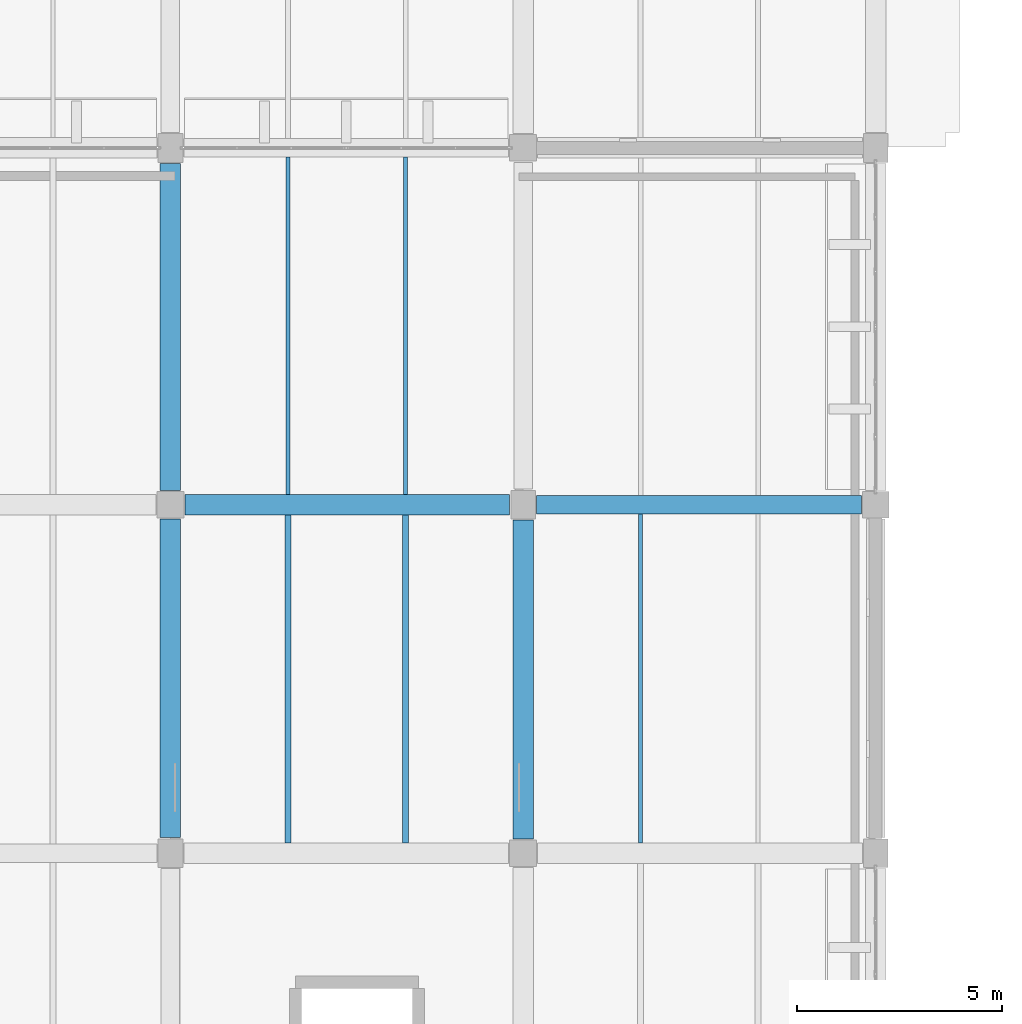
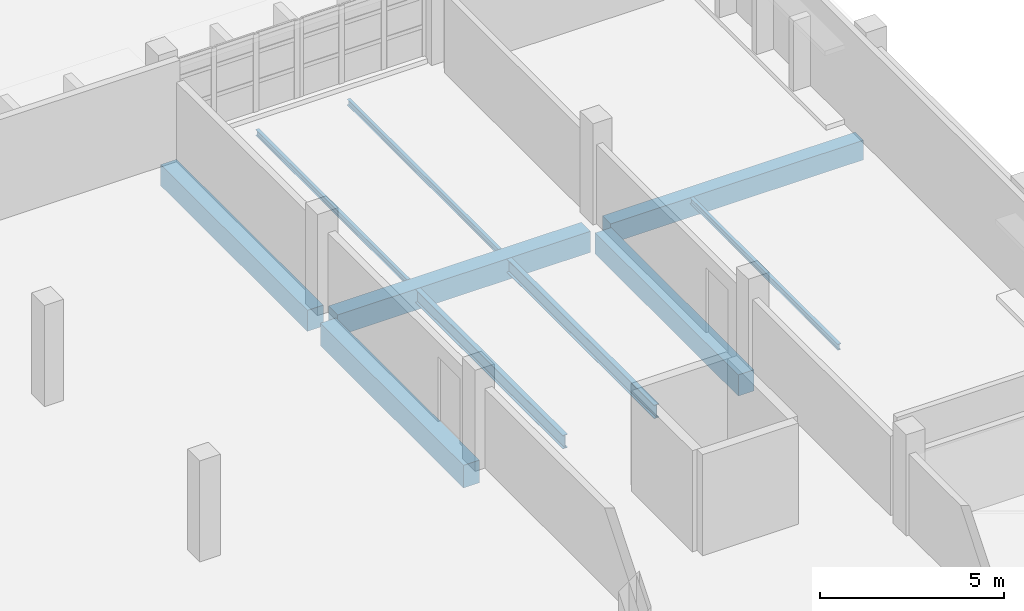
# One storey, part 60 of 93: 10 beams.
"""IFC4 building model written with IfcOpenShell, lengths in metres."""

import ifcopenshell
import ifcopenshell.guid

model = None  # the IFC model being written
_history = None  # IfcOwnerHistory: only IFC2X3 demands one
_inside = {}  # id of a spatial element -> (the spatial element, [elements in it])
_under = {}  # id of a project, library or spatial element -> (it, [spatial elements below it])
_declared = {}  # id of a project -> (the project, [libraries it declares])
_typed = {}  # id of a type object -> (the type object, [elements of that type])
_made_of = {}  # id of a material, layer set ... -> (it, [elements and type objects made of it])


def new_model(schema):
    """Start an empty IFC model of exactly this schema.

    Asked for "IFC4X3", IfcOpenShell would pick the latest addendum, in which some entities
    have other attributes; the version numbers below select the first issue.
    IFC2X3 requires an IfcOwnerHistory on every rooted entity: one is made here for all.
    """
    global model, _history
    if schema == "IFC4X3":
        model = ifcopenshell.file(schema_version=(4, 3, 0, 0))
    else:
        model = ifcopenshell.file(schema=schema)
    _inside.clear()
    _under.clear()
    _declared.clear()
    _typed.clear()
    _made_of.clear()
    _history = None
    if model.schema == "IFC2X3":
        org = make("IfcOrganization", Name="unknown")
        user = make(
            "IfcPersonAndOrganization",
            ThePerson=make("IfcPerson", FamilyName="unknown"),
            TheOrganization=org,
        )
        app = make(
            "IfcApplication",
            ApplicationDeveloper=org,
            Version="unknown",
            ApplicationFullName="unknown",
            ApplicationIdentifier="unknown",
        )
        _history = make(
            "IfcOwnerHistory",
            OwningUser=user,
            OwningApplication=app,
            ChangeAction="ADDED",
            CreationDate=0,
        )
    return model


def make(cls, **values):
    """One entity of the class cls with the attributes given. An attribute that is None is left unset."""
    return model.create_entity(
        cls, **{name: value for name, value in values.items() if value is not None}
    )


def rooted(cls, **values):
    """An entity with a GlobalId (a new one), such as an element, a storey or a relation."""
    return make(cls, GlobalId=ifcopenshell.guid.new(), OwnerHistory=_history, **values)


def si_unit(unit_type, name, prefix=None):
    """IfcSIUnit, for example si_unit("LENGTHUNIT", "METRE", prefix="MILLI")."""
    return make("IfcSIUnit", UnitType=unit_type, Prefix=prefix, Name=name)


def assignment(units):
    """IfcUnitAssignment: the units of a project."""
    return None if units is None else make("IfcUnitAssignment", Units=units)


def point(xyz):
    """IfcCartesianPoint."""
    return None if xyz is None else make("IfcCartesianPoint", Coordinates=xyz)


def direction(xyz):
    """IfcDirection."""
    return None if xyz is None else make("IfcDirection", DirectionRatios=xyz)


def frame(location, z_axis=None, x_axis=None):
    """IfcAxis2Placement3D, a coordinate frame: its origin and axes. An axis left out is left unset."""
    return make(
        "IfcAxis2Placement3D",
        Location=point(location),
        Axis=direction(z_axis),
        RefDirection=direction(x_axis),
    )


def frame_2d(location, x_axis=None):
    """IfcAxis2Placement2D, a coordinate frame in the plane: its origin and x axis."""
    return make(
        "IfcAxis2Placement2D", Location=point(location), RefDirection=direction(x_axis)
    )


def origin():
    """The frame at (0, 0, 0) with its axes left unset."""
    return frame((0.0, 0.0, 0.0))


def origin_2d():
    """The frame at (0, 0) in the plane with its x axis left unset."""
    return frame_2d((0.0, 0.0))


def place(relative_to, where):
    """IfcLocalPlacement: puts the frame where relative to a parent placement (None: the world)."""
    return make(
        "IfcLocalPlacement", PlacementRelTo=relative_to, RelativePlacement=where
    )


def context(
    kind, dimensions, precision=None, world=None, true_north=None, identifier=None
):
    """IfcGeometricRepresentationContext, for example the 3D "Model" context."""
    return make(
        "IfcGeometricRepresentationContext",
        ContextIdentifier=identifier,
        ContextType=kind,
        CoordinateSpaceDimension=dimensions,
        Precision=precision,
        WorldCoordinateSystem=world,
        TrueNorth=true_north,
    )


def subcontext(parent, identifier, kind, view, scale=None):
    """IfcGeometricRepresentationSubContext, for example "Body" below "Model"."""
    return make(
        "IfcGeometricRepresentationSubContext",
        ContextIdentifier=identifier,
        ContextType=kind,
        ParentContext=parent,
        TargetScale=scale,
        TargetView=view,
    )


def project(units=None, contexts=None):
    """IfcProject with its units and contexts."""
    return rooted(
        "IfcProject",
        Name="project",
        RepresentationContexts=contexts,
        UnitsInContext=assignment(units),
    )


def spatial(cls, under=None, at=None, **own):
    """A site, building, storey or space (cls), placed at a placement, below another one or the project."""
    s = rooted(cls, ObjectPlacement=at, **own)
    if under is not None:
        _under.setdefault(under.id(), (under, []))[1].append(s)
    return s


def profile(cls, at=None, kind="AREA", **sizes):
    """A parametric profile (cls). Its sizes go by their IFC names, for example OverallWidth=200.0."""
    return make(cls, ProfileType=kind, Position=at, **sizes)


def rectangle(**sizes):
    """IfcRectangleProfileDef."""
    return profile("IfcRectangleProfileDef", **sizes)


def i_section(**sizes):
    """IfcIShapeProfileDef."""
    return profile("IfcIShapeProfileDef", **sizes)


def extrude(swept, where, along, depth):
    """IfcExtrudedAreaSolid: the profile swept, set in the frame where, extruded along a direction by depth."""
    return make(
        "IfcExtrudedAreaSolid",
        SweptArea=swept,
        Position=where,
        ExtrudedDirection=direction(along),
        Depth=depth,
    )


def shape(context_of_items, identifier, shape_type, items):
    """IfcShapeRepresentation: the items that make up one representation, for example the "Body"."""
    return make(
        "IfcShapeRepresentation",
        ContextOfItems=context_of_items,
        RepresentationIdentifier=identifier,
        RepresentationType=shape_type,
        Items=items,
    )


def material(Name=None, Category=None):
    """IfcMaterial."""
    return make("IfcMaterial", Name=Name, Category=Category)


def material_profile(
    of_material, cross_section, Name=None, Category=None, Priority=None
):
    """IfcMaterialProfile: a cross section and its material."""
    return make(
        "IfcMaterialProfile",
        Name=Name,
        Material=of_material,
        Profile=cross_section,
        Priority=Priority,
        Category=Category,
    )


def profile_set(profiles, Name=None, composite=None):
    """IfcMaterialProfileSet."""
    return make(
        "IfcMaterialProfileSet",
        Name=Name,
        MaterialProfiles=profiles,
        CompositeProfile=composite,
    )


def made_of(thing, what):
    """Note that an element or type object is made of a material, layer set ...; save() writes the relation."""
    if what is not None:
        _made_of.setdefault(what.id(), (what, []))[1].append(thing)
    return thing


def type_object(cls, material=None, **own):
    """A type object (cls), such as IfcWallType, which elements share."""
    return made_of(rooted(cls, **own), material)


def element(
    cls,
    number,
    at=None,
    inside=None,
    cuts=None,
    type_object=None,
    material=None,
    context=None,
    identifier="Body",
    shape_type=None,
    held_by="IfcProductDefinitionShape",
    body=None,
    shapes=None,
    **own,
):
    """One element of the class cls, such as IfcWall. Its Tag is "e" and its number.

    at: its placement. inside: the storey or other place that contains it. cuts: it is an
    opening in that element (IfcRelVoidsElement). A single representation is given by context,
    identifier, shape_type and body (its items); several are given by shapes. held_by: the class
    of the entity that holds the representations. save() writes the other relations.
    """
    e = rooted(cls, Tag="e%d" % number, ObjectPlacement=at, **own)
    if body is not None:
        shapes = [shape(context, identifier, shape_type, body)]
    if shapes is not None:
        e.Representation = make(held_by, Representations=shapes)
    if inside is not None:
        _inside.setdefault(inside.id(), (inside, []))[1].append(e)
    if cuts is not None:
        rooted(
            "IfcRelVoidsElement", RelatingBuildingElement=cuts, RelatedOpeningElement=e
        )
    if type_object is not None:
        _typed.setdefault(type_object.id(), (type_object, []))[1].append(e)
    return made_of(e, material)


def aggregate(whole, parts):
    """IfcRelAggregates: a whole, such as a stair, and the parts it consists of."""
    return rooted("IfcRelAggregates", RelatingObject=whole, RelatedObjects=parts)


def save(model, path):
    """Write the relations noted so far, then the file.

    IfcRelAggregates (storeys below a building ...), IfcRelContainedInSpatialStructure (elements
    in a storey), IfcRelDefinesByType, IfcRelAssociatesMaterial and IfcRelDeclares: one each for
    every whole, place, type object, material and project.
    """
    for whole, parts in _under.values():
        aggregate(whole, parts)
    for where, things in _inside.values():
        rooted(
            "IfcRelContainedInSpatialStructure",
            RelatedElements=things,
            RelatingStructure=where,
        )
    for kind, things in _typed.values():
        rooted("IfcRelDefinesByType", RelatedObjects=things, RelatingType=kind)
    for what, things in _made_of.values():
        rooted("IfcRelAssociatesMaterial", RelatedObjects=things, RelatingMaterial=what)
    for by, libraries in _declared.values():
        rooted("IfcRelDeclares", RelatingContext=by, RelatedDefinitions=libraries)
    model.write(path)


model = new_model("IFC4")

# Units and contexts
model_context = context("Model", 3, precision=1e-05, world=origin(), true_north=direction((0.0, 1.0)))
body_context = subcontext(model_context, "Body", "Model", "MODEL_VIEW")
ifc_project = project(units=[si_unit("LENGTHUNIT", "METRE"), si_unit("AREAUNIT", "SQUARE_METRE"), si_unit("VOLUMEUNIT", "CUBIC_METRE"), si_unit("PLANEANGLEUNIT", "RADIAN"), si_unit("MASSUNIT", "GRAM", prefix="KILO")], contexts=[model_context])

# Site, building, storey
site_placement = place(None, origin())
site = spatial("IfcSite", under=ifc_project, at=site_placement, CompositionType="ELEMENT")
building_placement = place(site_placement, origin())
building = spatial("IfcBuilding", under=site, at=building_placement, Name="Varnakota Cinema and Media Centre", CompositionType="ELEMENT")
storey_placement = place(building_placement, frame((0.0, 0.0, 12.0)))
storey = spatial("IfcBuildingStorey", under=building, at=storey_placement, Name="L03", CompositionType="ELEMENT", Elevation=12.0)

# Beams
ifc_material_1 = material(Name="Concrete M35", Category="concrete")
ifc_material_profile_1 = material_profile(ifc_material_1, rectangle(XDim=0.449951171875, YDim=0.64990234375, at=origin_2d()), Name="RCB 450x650")
ifc_profile_set_1 = profile_set([ifc_material_profile_1], Name="Concrete M35")
beam_type_1 = type_object("IfcBeamType", Name="BM-RC-450x650", PredefinedType="BEAM", material=ifc_profile_set_1)
beam_1_placement = place(storey_placement, frame((26.125, 69.5, -0.5849609375), z_axis=(1.0, 0.0, 0.0), x_axis=(0.0, 1.0, 0.0)))
element("IfcBeam", 1, at=beam_1_placement, inside=storey, type_object=beam_type_1, Name="L03 girder D-E/9", PredefinedType="BEAM", context=body_context, shape_type="SweptSolid", body=[
    extrude(rectangle(XDim=0.449951171875, YDim=0.64990234375, at=origin_2d()), origin(), (0.0, 0.0, 1.0), 7.925048828125),
])
ifc_material_2 = material(Name="Concrete M35", Category="concrete")
ifc_material_profile_2 = material_profile(ifc_material_2, rectangle(XDim=0.5, YDim=0.699951171875, at=origin_2d()), Name="RCB 500x700")
ifc_profile_set_2 = profile_set([ifc_material_profile_2], Name="Concrete M35")
beam_type_2 = type_object("IfcBeamType", Name="BM-RC-500x700", PredefinedType="BEAM", material=ifc_profile_set_2)
beam_2_placement = place(storey_placement, frame((17.550048828125, 69.5, -0.610107421875), z_axis=(1.0, 0.0, 0.0), x_axis=(0.0, 1.0, 0.0)))
element("IfcBeam", 2, at=beam_2_placement, inside=storey, type_object=beam_type_2, Name="L03 girder C-D/9", PredefinedType="BEAM", context=body_context, shape_type="SweptSolid", body=[
    extrude(rectangle(XDim=0.5, YDim=0.699951171875, at=origin_2d()), origin(), (0.0, 0.0, 1.0), 7.925048828125),
])
beam_3_placement = place(storey_placement, frame((17.199951171875, 69.85009765625, -0.610107421875), z_axis=(0.0, 1.0, 0.0), x_axis=(-1.0, 0.0, 0.0)))
element("IfcBeam", 3, at=beam_3_placement, inside=storey, type_object=beam_type_2, Name="L03 girder C/9-10", PredefinedType="BEAM", context=body_context, shape_type="SweptSolid", body=[
    extrude(rectangle(XDim=0.5, YDim=0.699951171875, at=origin_2d()), origin(), (0.0, 0.0, 1.0), 7.974853515625),
])
beam_4_placement = place(storey_placement, frame((25.800048828125, 61.35009765625, -0.610107421875), z_axis=(0.0, 1.0, 0.0), x_axis=(-1.0, 0.0, 0.0)))
element("IfcBeam", 4, at=beam_4_placement, inside=storey, type_object=beam_type_2, Name="L03 girder D/8-9", PredefinedType="BEAM", context=body_context, shape_type="SweptSolid", body=[
    extrude(rectangle(XDim=0.5, YDim=0.699951171875, at=origin_2d()), origin(), (0.0, 0.0, 1.0), 7.77490234375),
])
ifc_material_3 = material(Name="Concrete M35", Category="concrete")
ifc_material_profile_3 = material_profile(ifc_material_3, rectangle(XDim=0.5, YDim=0.75, at=origin_2d()), Name="RCB 500x750")
ifc_profile_set_3 = profile_set([ifc_material_profile_3], Name="Concrete M35")
beam_type_3 = type_object("IfcBeamType", Name="BM-RC-500x750", PredefinedType="BEAM", material=ifc_profile_set_3)
beam_5_placement = place(storey_placement, frame((17.199951171875, 61.375, -0.635009765625), z_axis=(0.0, 1.0, 0.0), x_axis=(-1.0, 0.0, 0.0)))
element("IfcBeam", 5, at=beam_5_placement, inside=storey, type_object=beam_type_3, Name="L03 girder C/8-9", PredefinedType="BEAM", context=body_context, shape_type="SweptSolid", body=[
    extrude(rectangle(XDim=0.5, YDim=0.75, at=origin_2d()), origin(), (0.0, 0.0, 1.0), 7.77490234375),
])
ifc_material_4 = material(Name="Structural steel Grade 350 (E350)", Category="steel")
ifc_material_profile_4 = material_profile(ifc_material_4, i_section(OverallWidth=0.10009765625, OverallDepth=0.199951171875, WebThickness=0.005615234375, FlangeThickness=0.0107421875, FilletRadius=0.010986328125, at=origin_2d()), Name="ISMB 200")
ifc_profile_set_4 = profile_set([ifc_material_profile_4], Name="Structural steel Grade 350 (E350)")
beam_type_4 = type_object("IfcBeamType", Name="BM-ST-ISMB200", PredefinedType="JOIST", material=ifc_profile_set_4)
for number, where, z_axis, x_axis, name in (
    (6, (20.066650390625, 69.75, -0.360107421875), (0.0, 1.0, 0.0), (-1.0, 0.0, 0.0), "L03 steel joist C-D/9-10 #1"),
    (7, (22.933349609375, 69.75, -0.360107421875), (0.0, 1.0, 0.0), (-1.0, 0.0, 0.0), "L03 steel joist C-D/9-10 #2"),
):
    element("IfcBeam", number, at=place(storey_placement, frame(where, z_axis=z_axis, x_axis=x_axis)), inside=storey, type_object=beam_type_4, Name=name, PredefinedType="JOIST", context=body_context, shape_type="SweptSolid", body=[
        extrude(i_section(OverallWidth=0.10009765625, OverallDepth=0.199951171875, WebThickness=0.005615234375, FlangeThickness=0.0107421875, FilletRadius=0.010986328125, at=origin_2d()), origin(), (0.0, 0.0, 1.0), 8.22509765625),
    ])
beam_6_placement = place(storey_placement, frame((28.666748046875, 61.25, -0.360107421875), z_axis=(0.0, 1.0, 0.0), x_axis=(-1.0, 0.0, 0.0)))
element("IfcBeam", 8, at=beam_6_placement, inside=storey, type_object=beam_type_4, Name="L03 steel joist D-E/8-9 #1", PredefinedType="JOIST", context=body_context, shape_type="SweptSolid", body=[
    extrude(i_section(OverallWidth=0.10009765625, OverallDepth=0.199951171875, WebThickness=0.005615234375, FlangeThickness=0.0107421875, FilletRadius=0.010986328125, at=origin_2d()), origin(), (0.0, 0.0, 1.0), 8.02490234375),
])
ifc_material_5 = material(Name="Structural steel Grade 350 (E350)", Category="steel")
ifc_material_profile_5 = material_profile(ifc_material_5, i_section(OverallWidth=0.14990234375, OverallDepth=0.449951171875, WebThickness=0.009521484375, FlangeThickness=0.017333984375, FilletRadius=0.014892578125, at=origin_2d()), Name="ISMB 450")
ifc_profile_set_5 = profile_set([ifc_material_profile_5], Name="Structural steel Grade 350 (E350)")
beam_type_5 = type_object("IfcBeamType", Name="BM-ST-ISMB450", PredefinedType="BEAM", material=ifc_profile_set_5)
for number, where, z_axis, x_axis, name in (
    (9, (20.066650390625, 61.25, -0.485107421875), (0.0, 1.0, 0.0), (-1.0, 0.0, 0.0), "L03 steel joist C-D/8-9 #1"),
    (10, (22.933349609375, 61.25, -0.485107421875), (0.0, 1.0, 0.0), (-1.0, 0.0, 0.0), "L03 steel joist C-D/8-9 #2"),
):
    element("IfcBeam", number, at=place(storey_placement, frame(where, z_axis=z_axis, x_axis=x_axis)), inside=storey, type_object=beam_type_5, Name=name, PredefinedType="BEAM", context=body_context, shape_type="SweptSolid", body=[
        extrude(i_section(OverallWidth=0.14990234375, OverallDepth=0.449951171875, WebThickness=0.009521484375, FlangeThickness=0.017333984375, FilletRadius=0.014892578125, at=origin_2d()), origin(), (0.0, 0.0, 1.0), 8.0),
    ])

save(model, "model.ifc")
